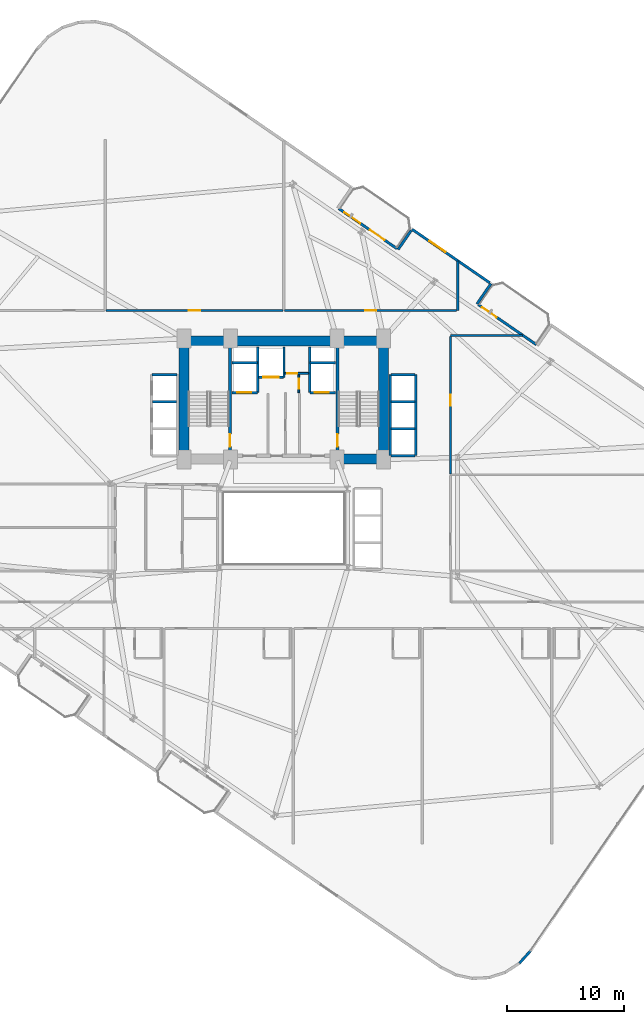
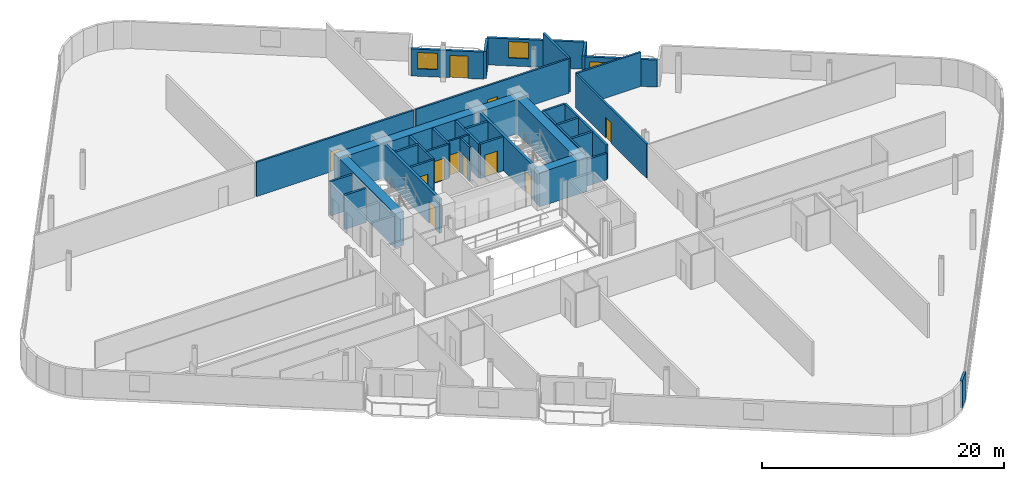
# One storey, part 19 of 24: 35 walls, 12 doors, 2 windows, 14 openings.
"""IFC4 building model written with IfcOpenShell, lengths in metres."""

from ifc_helpers import new_model, si_unit, direction, frame, frame_2d, origin, place, context, subcontext, project, spatial, rectangle, extrude, material, layer, layer_set, type_object, element, fill, save


model = new_model("IFC4")

# Units and contexts
model_context = context("Model", 3, precision=1e-05, world=origin(), true_north=direction((0.0, 1.0)))
body_context = subcontext(model_context, "Body", "Model", "MODEL_VIEW")
ifc_project = project(units=[si_unit("LENGTHUNIT", "METRE"), si_unit("AREAUNIT", "SQUARE_METRE"), si_unit("VOLUMEUNIT", "CUBIC_METRE"), si_unit("PLANEANGLEUNIT", "RADIAN"), si_unit("MASSUNIT", "GRAM", prefix="KILO")], contexts=[model_context])

# Site, building, storey
site_placement = place(None, origin())
site = spatial("IfcSite", under=ifc_project, at=site_placement, CompositionType="ELEMENT")
building_placement = place(site_placement, origin())
building = spatial("IfcBuilding", under=site, at=building_placement, Name="Varnelok Gate Tower", CompositionType="ELEMENT")
storey_placement = place(building_placement, frame((0.0, 0.0, 41.800048828125)))
storey = spatial("IfcBuildingStorey", under=building, at=storey_placement, Name="L09", CompositionType="ELEMENT", Elevation=41.800048828125)

# Wall, openings, door, window
ifc_material_1 = material(Name="Concrete C45/55", Category="concrete")
ifc_layer_1 = layer(ifc_material_1, 0.219970703125)
ifc_layer_set_1 = layer_set([ifc_layer_1], Name="Concrete C45/55")
wall_type_1 = type_object("IfcWallType", Name="EW-BALC-220", PredefinedType="SOLIDWALL", material=ifc_layer_set_1)
wall_1_placement = place(storey_placement, frame((43.898193359375, 50.1015625, 0.0), z_axis=(0.0, 0.0, 1.0), x_axis=(0.823534636215, -0.567265989598, 0.0)))
wall_1 = element("IfcWall", 1, at=wall_1_placement, inside=storey, type_object=wall_type_1, Name="L09 North Terrace Envelope Wall 3", PredefinedType="SOLIDWALL", context=body_context, shape_type="SweptSolid", body=[
    extrude(rectangle(XDim=6.0, YDim=0.219970703125, at=frame_2d((3.0, 0.0))), origin(), (0.0, 0.0, 1.0), 2.72998046875),
])
opening_1_placement = place(wall_1_placement, frame((3.2119140625, 0.0, 0.0)))
opening_1 = element("IfcOpeningElement", 2, at=opening_1_placement, cuts=wall_1, Name="Opening BD-1", PredefinedType="OPENING", context=body_context, shape_type="SweptSolid", body=[
    extrude(rectangle(XDim=1.5, YDim=2.25, at=frame_2d((0.75, 1.125))), frame((0.0, 0.119873046875, 0.0), z_axis=(0.0, -1.0, 0.0), x_axis=(1.0, 0.0, 0.0)), (0.0, 0.0, 1.0), 0.239990234375),
])
opening_2_placement = place(wall_1_placement, frame((0.550048828125, 0.0, 0.75)))
opening_2 = element("IfcOpeningElement", 3, at=opening_2_placement, cuts=wall_1, Name="Opening WN3", PredefinedType="OPENING", context=body_context, shape_type="SweptSolid", body=[
    extrude(rectangle(XDim=1.64990234375, YDim=1.64990234375, at=frame_2d((0.824951171875, 0.824951171875))), frame((0.0, 0.119873046875, 0.0), z_axis=(0.0, -1.0, 0.0), x_axis=(1.0, 0.0, 0.0)), (0.0, 0.0, 1.0), 0.239990234375),
])
ifc_material_2 = material(Name="Anodized Aluminum Alloy 6063-T6", Category="aluminium")
door_type_1 = type_object("IfcDoorType", Name="DR-EXT-BALC1500", OperationType="NOTDEFINED", PredefinedType="DOOR", material=ifc_material_2)
door_1_placement = place(opening_1_placement, origin())
door_1 = element("IfcDoor", 4, at=door_1_placement, inside=storey, type_object=door_type_1, Name="L09 North Balcony Glazed Door 3", OperationType="SINGLE_SWING_RIGHT", OverallHeight=2.25, OverallWidth=1.5, PredefinedType="DOOR", context=body_context, shape_type="SweptSolid", body=[
    extrude(rectangle(XDim=1.5, YDim=2.25, at=frame_2d((0.75, 1.125))), frame((0.0, 0.02490234375, 0.0), z_axis=(0.0, -1.0, 0.0), x_axis=(1.0, 0.0, 0.0)), (0.0, 0.0, 1.0), 0.050048828125),
])
fill(opening_1, door_1)
ifc_material_3 = material(Name="Low-E Laminated Double Glazing IGU", Category="glass")
window_type = type_object("IfcWindowType", Name="WN-HTL-1650", PartitioningType="SINGLE_PANEL", PredefinedType="WINDOW", material=ifc_material_3)
window_1_placement = place(opening_2_placement, origin())
window_1 = element("IfcWindow", 5, at=window_1_placement, inside=storey, type_object=window_type, Name="L09 North Vision Window 3.1", OverallHeight=1.64990234375, OverallWidth=1.64990234375, PartitioningType="SINGLE_PANEL", PredefinedType="WINDOW", context=body_context, shape_type="SweptSolid", body=[
    extrude(rectangle(XDim=1.64990234375, YDim=1.64990234375, at=frame_2d((0.824951171875, 0.824951171875))), frame((0.0, 0.030029296875, 0.0), z_axis=(0.0, -1.0, 0.0), x_axis=(1.0, 0.0, 0.0)), (0.0, 0.0, 1.0), 0.06005859375),
])
fill(opening_2, window_1)

# Wall, opening, door
wall_2_placement = place(storey_placement, frame((55.757080078125, 41.932861328125, 0.0), z_axis=(0.0, 0.0, 1.0), x_axis=(0.823534636215, -0.567265989598, 0.0)))
wall_2 = element("IfcWall", 6, at=wall_2_placement, inside=storey, type_object=wall_type_1, Name="L09 North Terrace Envelope Wall 4", PredefinedType="SOLIDWALL", context=body_context, shape_type="SweptSolid", body=[
    extrude(rectangle(XDim=6.0, YDim=0.219970703125, at=frame_2d((3.0, 0.0))), origin(), (0.0, 0.0, 1.0), 2.72998046875),
])
opening_3_placement = place(wall_2_placement, frame((0.39990234375, 0.0, 0.0)))
opening_3 = element("IfcOpeningElement", 7, at=opening_3_placement, cuts=wall_2, Name="Opening BD-1", PredefinedType="OPENING", context=body_context, shape_type="SweptSolid", body=[
    extrude(rectangle(XDim=1.5, YDim=2.25, at=frame_2d((0.75, 1.125))), frame((0.0, 0.119873046875, 0.0), z_axis=(0.0, -1.0, 0.0), x_axis=(1.0, 0.0, 0.0)), (0.0, 0.0, 1.0), 0.239990234375),
])
door_2_placement = place(opening_3_placement, origin())
door_2 = element("IfcDoor", 8, at=door_2_placement, inside=storey, type_object=door_type_1, Name="L09 North Balcony Glazed Door 4", OperationType="SINGLE_SWING_LEFT", OverallHeight=2.25, OverallWidth=1.5, PredefinedType="DOOR", context=body_context, shape_type="SweptSolid", body=[
    extrude(rectangle(XDim=1.5, YDim=2.25, at=frame_2d((0.75, 1.125))), frame((0.0, 0.02490234375, 0.0), z_axis=(0.0, -1.0, 0.0), x_axis=(1.0, 0.0, 0.0)), (0.0, 0.0, 1.0), 0.050048828125),
])
fill(opening_3, door_2)

# Walls
wall_3_placement = place(storey_placement, frame((59.26611328125, -14.13525390625, 0.0), z_axis=(0.0, 0.0, 1.0), x_axis=(0.669866433955, 0.742481623113, 0.0)))
element("IfcWall", 9, at=wall_3_placement, inside=storey, type_object=wall_type_1, Name="L09 Perimeter Facade Closure Wall 19", PredefinedType="SOLIDWALL", context=body_context, shape_type="SweptSolid", body=[
    extrude(rectangle(XDim=1.4052734375, YDim=0.219970703125, at=frame_2d((0.70263671875, 0.0))), origin(), (0.0, 0.0, 1.0), 2.72998046875),
])
wall_4_placement = place(storey_placement, frame((55.652587890625, 41.99267578125, 0.0), z_axis=(0.0, 0.0, 1.0), x_axis=(0.567273696173, 0.823529327729, 0.0)))
element("IfcWall", 10, at=wall_4_placement, inside=storey, type_object=wall_type_1, Name="L09 Perimeter Facade Closure Wall 28", PredefinedType="SOLIDWALL", context=body_context, shape_type="SweptSolid", body=[
    extrude(rectangle(XDim=2.099853515625, YDim=0.219970703125, at=frame_2d((1.0498046875, 0.0))), origin(), (0.0, 0.0, 1.0), 2.72998046875),
])

# Wall, opening, window
wall_5_placement = place(storey_placement, frame((56.740966796875, 43.79296875, 0.0), z_axis=(0.0, 0.0, 1.0), x_axis=(-0.823530942962, 0.56727135128, 0.0)))
wall_5 = element("IfcWall", 11, at=wall_5_placement, inside=storey, type_object=wall_type_1, Name="L09 Perimeter Facade Closure Wall 29", PredefinedType="SOLIDWALL", context=body_context, shape_type="SweptSolid", body=[
    extrude(rectangle(XDim=8.03515625, YDim=0.219970703125, at=frame_2d((4.017578125, 0.0))), origin(), (0.0, 0.0, 1.0), 2.72998046875),
])
opening_4_placement = place(wall_5_placement, frame((4.59716796875, 0.0, 0.800048828125)))
opening_4 = element("IfcOpeningElement", 12, at=opening_4_placement, cuts=wall_5, Name="Opening WN3", PredefinedType="OPENING", context=body_context, shape_type="SweptSolid", body=[
    extrude(rectangle(XDim=1.64990234375, YDim=1.64990234375, at=frame_2d((0.824951171875, 0.824951171875))), frame((0.0, 0.119873046875, 0.0), z_axis=(0.0, -1.0, 0.0), x_axis=(1.0, 0.0, 0.0)), (0.0, 0.0, 1.0), 0.239990234375),
])
window_2_placement = place(opening_4_placement, origin())
window_2 = element("IfcWindow", 13, at=window_2_placement, inside=storey, type_object=window_type, Name="L09 Perimeter Vision Window 29", OverallHeight=1.64990234375, OverallWidth=1.64990234375, PartitioningType="SINGLE_PANEL", PredefinedType="WINDOW", context=body_context, shape_type="SweptSolid", body=[
    extrude(rectangle(XDim=1.64990234375, YDim=1.64990234375, at=frame_2d((0.824951171875, 0.824951171875))), frame((0.0, 0.030029296875, 0.0), z_axis=(0.0, -1.0, 0.0), x_axis=(1.0, 0.0, 0.0)), (0.0, 0.0, 1.0), 0.06005859375),
])
fill(opening_4, window_2)

# Wall
wall_6_placement = place(storey_placement, frame((50.052978515625, 48.248046875, 0.0), z_axis=(0.0, 0.0, 1.0), x_axis=(-0.567273565974, -0.823529417415, 0.0)))
element("IfcWall", 14, at=wall_6_placement, inside=storey, type_object=wall_type_1, Name="L09 Perimeter Facade Closure Wall 30", PredefinedType="SOLIDWALL", context=body_context, shape_type="SweptSolid", body=[
    extrude(rectangle(XDim=1.97509765625, YDim=0.219970703125, at=frame_2d((0.987548828125, 0.0))), origin(), (0.0, 0.0, 1.0), 2.72998046875),
])

# Wall, opening, door
ifc_material_4 = material(Name="Gypsum Plasterboard Acoustic Partition", Category="gypsum")
ifc_layer_2 = layer(ifc_material_4, 0.179931640625)
ifc_layer_set_2 = layer_set([ifc_layer_2], Name="Gypsum Plasterboard Acoustic Partition")
wall_type_2 = type_object("IfcWallType", Name="PW-CORR-180", PredefinedType="PARTITIONING", material=ifc_layer_set_2)
wall_7_placement = place(storey_placement, frame((24.080078125, 41.429931640625, 0.0), z_axis=(0.0, 0.0, 1.0), x_axis=(1.0, 0.0, 0.0)))
wall_7 = element("IfcWall", 15, at=wall_7_placement, inside=storey, type_object=wall_type_2, Name="Interior Partition", PredefinedType="PARTITIONING", context=body_context, shape_type="SweptSolid", body=[
    extrude(rectangle(XDim=15.0400390625, YDim=0.179931640625, at=frame_2d((7.52001953125, 0.0))), origin(), (0.0, 0.0, 1.0), 3.449951171875),
])
opening_5_placement = place(wall_7_placement, frame((7.044921875, 0.0, 0.0)))
opening_5 = element("IfcOpeningElement", 16, at=opening_5_placement, cuts=wall_7, Name="Opening D-I2", PredefinedType="OPENING", context=body_context, shape_type="SweptSolid", body=[
    extrude(rectangle(XDim=0.949951171875, YDim=2.050048828125, at=frame_2d((0.47509765625, 1.02490234375))), frame((0.0, 0.099853515625, 0.0), z_axis=(0.0, -1.0, 0.0), x_axis=(1.0, 0.0, 0.0)), (0.0, 0.0, 1.0), 0.199951171875),
])
ifc_material_5 = material(Name="Engineered Hardwood Timber", Category="wood")
door_type_2 = type_object("IfcDoorType", Name="DR-INT-950", OperationType="NOTDEFINED", PredefinedType="DOOR", material=ifc_material_5)
door_3_placement = place(opening_5_placement, origin())
door_3 = element("IfcDoor", 17, at=door_3_placement, inside=storey, type_object=door_type_2, Name="L09 Executive Business Office 2 Door", OperationType="SINGLE_SWING_LEFT", OverallHeight=2.050048828125, OverallWidth=0.949951171875, PredefinedType="DOOR", context=body_context, shape_type="SweptSolid", body=[
    extrude(rectangle(XDim=0.949951171875, YDim=2.050048828125, at=frame_2d((0.47509765625, 1.02490234375))), frame((0.0, 0.02490234375, 0.0), z_axis=(0.0, -1.0, 0.0), x_axis=(1.0, 0.0, 0.0)), (0.0, 0.0, 1.0), 0.050048828125),
])
fill(opening_5, door_3)

wall_8_placement = place(storey_placement, frame((39.280029296875, 41.429931640625, 0.0), z_axis=(0.0, 0.0, 1.0), x_axis=(1.0, 0.0, 0.0)))
wall_8 = element("IfcWall", 18, at=wall_8_placement, inside=storey, type_object=wall_type_2, Name="Interior Partition", PredefinedType="PARTITIONING", context=body_context, shape_type="SweptSolid", body=[
    extrude(rectangle(XDim=14.639892578125, YDim=0.179931640625, at=frame_2d((7.31982421875, 0.0))), origin(), (0.0, 0.0, 1.0), 3.449951171875),
])
opening_6_placement = place(wall_8_placement, frame((6.844970703125, 0.0, 0.0)))
opening_6 = element("IfcOpeningElement", 19, at=opening_6_placement, cuts=wall_8, Name="Opening D-I2", PredefinedType="OPENING", context=body_context, shape_type="SweptSolid", body=[
    extrude(rectangle(XDim=0.949951171875, YDim=2.050048828125, at=frame_2d((0.47509765625, 1.02490234375))), frame((0.0, 0.099853515625, 0.0), z_axis=(0.0, -1.0, 0.0), x_axis=(1.0, 0.0, 0.0)), (0.0, 0.0, 1.0), 0.199951171875),
])
door_4_placement = place(opening_6_placement, origin())
door_4 = element("IfcDoor", 20, at=door_4_placement, inside=storey, type_object=door_type_2, Name="L09 Hotel Business Center Door", OperationType="SINGLE_SWING_LEFT", OverallHeight=2.050048828125, OverallWidth=0.949951171875, PredefinedType="DOOR", context=body_context, shape_type="SweptSolid", body=[
    extrude(rectangle(XDim=0.949951171875, YDim=2.050048828125, at=frame_2d((0.47509765625, 1.02490234375))), frame((0.0, 0.02490234375, 0.0), z_axis=(0.0, -1.0, 0.0), x_axis=(1.0, 0.0, 0.0)), (0.0, 0.0, 1.0), 0.050048828125),
])
fill(opening_6, door_4)

wall_9_placement = place(storey_placement, frame((53.389892578125, 27.530029296875, 0.0), z_axis=(0.0, 0.0, 1.0), x_axis=(0.0, 1.0, 0.0)))
wall_9 = element("IfcWall", 21, at=wall_9_placement, inside=storey, type_object=wall_type_2, Name="Interior Partition", PredefinedType="PARTITIONING", context=body_context, shape_type="SweptSolid", body=[
    extrude(rectangle(XDim=11.669921875, YDim=0.179931640625, at=frame_2d((5.8349609375, 0.0))), origin(), (0.0, 0.0, 1.0), 3.449951171875),
])
opening_7_placement = place(wall_9_placement, frame((5.800048828125, 0.0, 0.0)))
opening_7 = element("IfcOpeningElement", 22, at=opening_7_placement, cuts=wall_9, Name="Opening D-I3", PredefinedType="OPENING", context=body_context, shape_type="SweptSolid", body=[
    extrude(rectangle(XDim=0.919921875, YDim=2.050048828125, at=frame_2d((0.4599609375, 1.02490234375))), frame((0.0, 0.099853515625, 0.0), z_axis=(0.0, -1.0, 0.0), x_axis=(1.0, 0.0, 0.0)), (0.0, 0.0, 1.0), 0.199951171875),
])
door_type_3 = type_object("IfcDoorType", Name="DR-INT-920", OperationType="NOTDEFINED", PredefinedType="DOOR", material=ifc_material_5)
door_5_placement = place(opening_7_placement, origin())
door_5 = element("IfcDoor", 23, at=door_5_placement, inside=storey, type_object=door_type_3, Name="L09 East Suite 2 Door", OperationType="SINGLE_SWING_RIGHT", OverallHeight=2.050048828125, OverallWidth=0.919921875, PredefinedType="DOOR", context=body_context, shape_type="SweptSolid", body=[
    extrude(rectangle(XDim=0.919921875, YDim=2.050048828125, at=frame_2d((0.4599609375, 1.02490234375))), frame((0.0, 0.02490234375, 0.0), z_axis=(0.0, -1.0, 0.0), x_axis=(1.0, 0.0, 0.0)), (0.0, 0.0, 1.0), 0.050048828125),
])
fill(opening_7, door_5)

# Wall
wall_10_placement = place(storey_placement, frame((53.389892578125, 39.300048828125, 0.0), z_axis=(0.0, 0.0, 1.0), x_axis=(1.0, 0.0, 0.0)))
element("IfcWall", 24, at=wall_10_placement, inside=storey, type_object=wall_type_2, Name="Interior Partition", PredefinedType="PARTITIONING", context=body_context, shape_type="SweptSolid", body=[
    extrude(rectangle(XDim=6.136474609375, YDim=0.179931640625, at=frame_2d((3.068359375, 0.0))), origin(), (0.0, 0.0, 1.0), 3.449951171875),
])

# Wall, opening, door
ifc_layer_3 = layer(ifc_material_4, 0.14990234375)
ifc_layer_set_3 = layer_set([ifc_layer_3], Name="Gypsum Plasterboard Acoustic Partition")
wall_type_3 = type_object("IfcWallType", Name="PW-PART-150", PredefinedType="PARTITIONING", material=ifc_layer_set_3)
wall_11_placement = place(storey_placement, frame((39.300048828125, 36.080078125, 0.0), z_axis=(0.0, 0.0, 1.0), x_axis=(1.0, 0.0, 0.0)))
wall_11 = element("IfcWall", 25, at=wall_11_placement, inside=storey, type_object=wall_type_3, Name="L09 Electrical Closet South Wall", PredefinedType="PARTITIONING", context=body_context, shape_type="SweptSolid", body=[
    extrude(rectangle(XDim=2.02001953125, YDim=0.14990234375, at=frame_2d((1.010009765625, 0.0))), origin(), (0.0, 0.0, 1.0), 3.449951171875),
])
opening_8_placement = place(wall_11_placement, frame((0.179931640625, 0.0, 0.0)))
opening_8 = element("IfcOpeningElement", 26, at=opening_8_placement, cuts=wall_11, Name="Opening D-RS", PredefinedType="OPENING", context=body_context, shape_type="SweptSolid", body=[
    extrude(rectangle(XDim=0.85009765625, YDim=2.050048828125, at=frame_2d((0.425048828125, 1.02490234375))), frame((0.0, 0.0849609375, 0.0), z_axis=(0.0, -1.0, 0.0), x_axis=(1.0, 0.0, 0.0)), (0.0, 0.0, 1.0), 0.169921875),
])
ifc_material_6 = material(Name="Galvanized Steel Grade S350GD", Category="steel")
door_type_4 = type_object("IfcDoorType", Name="DR-RISER-850", OperationType="NOTDEFINED", PredefinedType="DOOR", material=ifc_material_6)
door_6_placement = place(opening_8_placement, origin())
door_6 = element("IfcDoor", 27, at=door_6_placement, inside=storey, type_object=door_type_4, Name="L09 Electrical Closet Door", OperationType="SINGLE_SWING_RIGHT", OverallHeight=2.050048828125, OverallWidth=0.85009765625, PredefinedType="DOOR", context=body_context, shape_type="SweptSolid", body=[
    extrude(rectangle(XDim=0.85009765625, YDim=2.050048828125, at=frame_2d((0.425048828125, 1.02490234375))), frame((0.0, 0.02490234375, 0.0), z_axis=(0.0, -1.0, 0.0), x_axis=(1.0, 0.0, 0.0)), (0.0, 0.0, 1.0), 0.050048828125),
])
fill(opening_8, door_6)

wall_12_placement = place(storey_placement, frame((40.47998046875, 34.43994140625, 0.0), z_axis=(0.0, 0.0, 1.0), x_axis=(0.0, 1.0, 0.0)))
wall_12 = element("IfcWall", 28, at=wall_12_placement, inside=storey, type_object=wall_type_3, Name="L09 Telecoms Closet West Wall", PredefinedType="PARTITIONING", context=body_context, shape_type="SweptSolid", body=[
    extrude(rectangle(XDim=1.52001953125, YDim=0.14990234375, at=frame_2d((0.760009765625, 0.0))), origin(), (0.0, 0.0, 1.0), 3.449951171875),
])
opening_9_placement = place(wall_12_placement, frame((0.320068359375, 0.0, 0.0)))
opening_9 = element("IfcOpeningElement", 29, at=opening_9_placement, cuts=wall_12, Name="Opening D-RS", PredefinedType="OPENING", context=body_context, shape_type="SweptSolid", body=[
    extrude(rectangle(XDim=0.85009765625, YDim=2.050048828125, at=frame_2d((0.425048828125, 1.02490234375))), frame((0.0, 0.0849609375, 0.0), z_axis=(0.0, -1.0, 0.0), x_axis=(1.0, 0.0, 0.0)), (0.0, 0.0, 1.0), 0.169921875),
])
door_7_placement = place(opening_9_placement, origin())
door_7 = element("IfcDoor", 30, at=door_7_placement, inside=storey, type_object=door_type_4, Name="L09 Telecoms Closet Door", OperationType="SINGLE_SWING_LEFT", OverallHeight=2.050048828125, OverallWidth=0.85009765625, PredefinedType="DOOR", context=body_context, shape_type="SweptSolid", body=[
    extrude(rectangle(XDim=0.85009765625, YDim=2.050048828125, at=frame_2d((0.425048828125, 1.02490234375))), frame((0.0, 0.02490234375, 0.0), z_axis=(0.0, -1.0, 0.0), x_axis=(1.0, 0.0, 0.0)), (0.0, 0.0, 1.0), 0.050048828125),
])
fill(opening_9, door_7)

# Wall
ifc_layer_4 = layer(ifc_material_4, 0.205078125)
ifc_layer_set_4 = layer_set([ifc_layer_4], Name="Gypsum Plasterboard Acoustic Partition")
wall_type_4 = type_object("IfcWallType", Name="PW-PARTY-200", PredefinedType="PARTITIONING", material=ifc_layer_set_4)
wall_13_placement = place(storey_placement, frame((54.0, 41.429931640625, 0.0), z_axis=(0.0, 0.0, 1.0), x_axis=(0.0, 1.0, 0.0)))
element("IfcWall", 31, at=wall_13_placement, inside=storey, type_object=wall_type_4, Name="L09 North Party Wall 3", PredefinedType="PARTITIONING", context=body_context, shape_type="SweptSolid", body=[
    extrude(rectangle(XDim=4.226806640625, YDim=0.205078125, at=frame_2d((2.11328125, 0.0))), origin(), (0.0, 0.0, 1.0), 3.449951171875),
])

# Wall, opening, door
ifc_material_7 = material(Name="Concrete C35/45", Category="concrete")
ifc_layer_5 = layer(ifc_material_7, 0.199951171875)
ifc_layer_set_5 = layer_set([ifc_layer_5], Name="Concrete C35/45")
wall_type_5 = type_object("IfcWallType", Name="PW-SHAFT-200", PredefinedType="PARTITIONING", material=ifc_layer_set_5)
wall_14_placement = place(storey_placement, frame((34.800048828125, 34.43994140625, 0.0), z_axis=(0.0, 0.0, 1.0), x_axis=(1.0, 0.0, 0.0)))
wall_14 = element("IfcWall", 32, at=wall_14_placement, inside=storey, type_object=wall_type_5, Name="L09 FF1 Shaft Front Wall", PredefinedType="PARTITIONING", context=body_context, shape_type="SweptSolid", body=[
    extrude(rectangle(XDim=2.179931640625, YDim=0.199951171875, at=frame_2d((1.08984375, 0.0))), origin(), (0.0, 0.0, 1.0), 3.449951171875),
])
opening_10_placement = place(wall_14_placement, frame((0.419921875, 0.0, 0.0)))
opening_10 = element("IfcOpeningElement", 33, at=opening_10_placement, cuts=wall_14, Name="Opening LD-FF1", PredefinedType="OPENING", context=body_context, shape_type="SweptSolid", body=[
    extrude(rectangle(XDim=1.199951171875, YDim=2.199951171875, at=frame_2d((0.60009765625, 1.10009765625))), frame((0.0, 0.10986328125, 0.0), z_axis=(0.0, -1.0, 0.0), x_axis=(1.0, 0.0, 0.0)), (0.0, 0.0, 1.0), 0.219970703125),
])
door_type_5 = type_object("IfcDoorType", Name="DR-LIFT-FF1200", OperationType="SLIDING_TO_LEFT", PredefinedType="DOOR", material=ifc_material_6)
door_8_placement = place(opening_10_placement, origin())
door_8 = element("IfcDoor", 34, at=door_8_placement, inside=storey, type_object=door_type_5, Name="L09 Firefighting Lift Landing Door LD-FF1", OperationType="SLIDING_TO_LEFT", OverallHeight=2.199951171875, OverallWidth=1.199951171875, PredefinedType="DOOR", context=body_context, shape_type="SweptSolid", body=[
    extrude(rectangle(XDim=1.199951171875, YDim=2.199951171875, at=frame_2d((0.60009765625, 1.10009765625))), frame((0.0, 0.02490234375, 0.0), z_axis=(0.0, -1.0, 0.0), x_axis=(1.0, 0.0, 0.0)), (0.0, 0.0, 1.0), 0.050048828125),
])
fill(opening_10, door_8)

# Walls
wall_15_placement = place(storey_placement, frame((34.800048828125, 36.97998046875, 0.0), z_axis=(0.0, 0.0, 1.0), x_axis=(1.0, 0.0, 0.0)))
element("IfcWall", 35, at=wall_15_placement, inside=storey, type_object=wall_type_5, Name="L09 FF1 Shaft North Wall", PredefinedType="PARTITIONING", context=body_context, shape_type="SweptSolid", body=[
    extrude(rectangle(XDim=2.179931640625, YDim=0.199951171875, at=frame_2d((1.08984375, 0.0))), origin(), (0.0, 0.0, 1.0), 3.449951171875),
])
wall_16_placement = place(storey_placement, frame((37.0, 34.43994140625, 0.0), z_axis=(0.0, 0.0, 1.0), x_axis=(0.0, 1.0, 0.0)))
element("IfcWall", 36, at=wall_16_placement, inside=storey, type_object=wall_type_5, Name="L09 FF1 Shaft Side Wall", PredefinedType="PARTITIONING", context=body_context, shape_type="SweptSolid", body=[
    extrude(rectangle(XDim=3.900146484375, YDim=0.199951171875, at=frame_2d((1.9501953125, 0.0))), origin(), (0.0, 0.0, 1.0), 3.449951171875),
])

# Wall, opening, door
wall_17_placement = place(storey_placement, frame((41.419921875, 34.43994140625, 0.0), z_axis=(0.0, 0.0, 1.0), x_axis=(1.0, 0.0, 0.0)))
wall_17 = element("IfcWall", 37, at=wall_17_placement, inside=storey, type_object=wall_type_5, Name="L09 FF2 Shaft Front Wall", PredefinedType="PARTITIONING", context=body_context, shape_type="SweptSolid", body=[
    extrude(rectangle(XDim=2.18017578125, YDim=0.199951171875, at=frame_2d((1.090087890625, 0.0))), origin(), (0.0, 0.0, 1.0), 3.449951171875),
])
opening_11_placement = place(wall_17_placement, frame((0.419921875, 0.0, 0.0)))
opening_11 = element("IfcOpeningElement", 38, at=opening_11_placement, cuts=wall_17, Name="Opening LD-FF2", PredefinedType="OPENING", context=body_context, shape_type="SweptSolid", body=[
    extrude(rectangle(XDim=1.199951171875, YDim=2.199951171875, at=frame_2d((0.60009765625, 1.10009765625))), frame((0.0, 0.10986328125, 0.0), z_axis=(0.0, -1.0, 0.0), x_axis=(1.0, 0.0, 0.0)), (0.0, 0.0, 1.0), 0.219970703125),
])
door_9_placement = place(opening_11_placement, origin())
door_9 = element("IfcDoor", 39, at=door_9_placement, inside=storey, type_object=door_type_5, Name="L09 Firefighting Lift Landing Door LD-FF2", OperationType="SLIDING_TO_LEFT", OverallHeight=2.199951171875, OverallWidth=1.199951171875, PredefinedType="DOOR", context=body_context, shape_type="SweptSolid", body=[
    extrude(rectangle(XDim=1.199951171875, YDim=2.199951171875, at=frame_2d((0.60009765625, 1.10009765625))), frame((0.0, 0.02490234375, 0.0), z_axis=(0.0, -1.0, 0.0), x_axis=(1.0, 0.0, 0.0)), (0.0, 0.0, 1.0), 0.050048828125),
])
fill(opening_11, door_9)

# Walls
wall_18_placement = place(storey_placement, frame((41.419921875, 36.97998046875, 0.0), z_axis=(0.0, 0.0, 1.0), x_axis=(1.0, 0.0, 0.0)))
element("IfcWall", 40, at=wall_18_placement, inside=storey, type_object=wall_type_5, Name="L09 FF2 Shaft North Wall", PredefinedType="PARTITIONING", context=body_context, shape_type="SweptSolid", body=[
    extrude(rectangle(XDim=2.18017578125, YDim=0.199951171875, at=frame_2d((1.090087890625, 0.0))), origin(), (0.0, 0.0, 1.0), 3.449951171875),
])
wall_19_placement = place(storey_placement, frame((41.39990234375, 34.43994140625, 0.0), z_axis=(0.0, 0.0, 1.0), x_axis=(0.0, 1.0, 0.0)))
element("IfcWall", 41, at=wall_19_placement, inside=storey, type_object=wall_type_5, Name="L09 FF2 Shaft Side Wall", PredefinedType="PARTITIONING", context=body_context, shape_type="SweptSolid", body=[
    extrude(rectangle(XDim=3.900146484375, YDim=0.199951171875, at=frame_2d((1.9501953125, 0.0))), origin(), (0.0, 0.0, 1.0), 3.449951171875),
])

# Wall, opening, door
wall_20_placement = place(storey_placement, frame((37.06005859375, 35.75, 0.0), z_axis=(0.0, 0.0, 1.0), x_axis=(1.0, 0.0, 0.0)))
wall_20 = element("IfcWall", 42, at=wall_20_placement, inside=storey, type_object=wall_type_5, Name="L09 SV1 Shaft Front Wall", PredefinedType="PARTITIONING", context=body_context, shape_type="SweptSolid", body=[
    extrude(rectangle(XDim=2.119873046875, YDim=0.199951171875, at=frame_2d((1.06005859375, 0.0))), origin(), (0.0, 0.0, 1.0), 3.449951171875),
])
opening_12_placement = place(wall_20_placement, frame((0.39990234375, 0.0, 0.0)))
opening_12 = element("IfcOpeningElement", 43, at=opening_12_placement, cuts=wall_20, Name="Opening LD-SV1", PredefinedType="OPENING", context=body_context, shape_type="SweptSolid", body=[
    extrude(rectangle(XDim=1.300048828125, YDim=2.199951171875, at=frame_2d((0.64990234375, 1.10009765625))), frame((0.0, 0.10986328125, 0.0), z_axis=(0.0, -1.0, 0.0), x_axis=(1.0, 0.0, 0.0)), (0.0, 0.0, 1.0), 0.219970703125),
])
door_type_6 = type_object("IfcDoorType", Name="DR-LIFT-SV1300", OperationType="SLIDING_TO_LEFT", PredefinedType="DOOR", material=ifc_material_6)
door_10_placement = place(opening_12_placement, origin())
door_10 = element("IfcDoor", 44, at=door_10_placement, inside=storey, type_object=door_type_6, Name="L09 Service Lift Landing Door LD-SV1", OperationType="SLIDING_TO_LEFT", OverallHeight=2.199951171875, OverallWidth=1.300048828125, PredefinedType="DOOR", context=body_context, shape_type="SweptSolid", body=[
    extrude(rectangle(XDim=1.300048828125, YDim=2.199951171875, at=frame_2d((0.64990234375, 1.10009765625))), frame((0.0, 0.02490234375, 0.0), z_axis=(0.0, -1.0, 0.0), x_axis=(1.0, 0.0, 0.0)), (0.0, 0.0, 1.0), 0.050048828125),
])
fill(opening_12, door_10)

# Walls
wall_21_placement = place(storey_placement, frame((39.219970703125, 35.75, 0.0), z_axis=(0.0, 0.0, 1.0), x_axis=(0.0, 1.0, 0.0)))
element("IfcWall", 45, at=wall_21_placement, inside=storey, type_object=wall_type_5, Name="L09 SV1 Shaft East Wall", PredefinedType="PARTITIONING", context=body_context, shape_type="SweptSolid", body=[
    extrude(rectangle(XDim=2.590087890625, YDim=0.199951171875, at=frame_2d((1.294921875, 0.0))), origin(), (0.0, 0.0, 1.0), 3.449951171875),
])
wall_22_placement = place(storey_placement, frame((28.02001953125, 33.675048828125, 0.0), z_axis=(0.0, 0.0, 1.0), x_axis=(1.0, 0.0, 0.0)))
element("IfcWall", 46, at=wall_22_placement, inside=storey, type_object=wall_type_5, Name="L09 PL2 Divider", PredefinedType="PARTITIONING", context=body_context, shape_type="SweptSolid", body=[
    extrude(rectangle(XDim=2.06005859375, YDim=0.199951171875, at=frame_2d((1.030029296875, 0.0))), origin(), (0.0, 0.0, 1.0), 3.449951171875),
])
wall_23_placement = place(storey_placement, frame((28.0, 35.969970703125, 0.0), z_axis=(0.0, 0.0, 1.0), x_axis=(1.0, 0.0, 0.0)))
element("IfcWall", 47, at=wall_23_placement, inside=storey, type_object=wall_type_5, Name="L09 PL Bank North Wall", PredefinedType="PARTITIONING", context=body_context, shape_type="SweptSolid", body=[
    extrude(rectangle(XDim=2.10009765625, YDim=0.199951171875, at=frame_2d((1.050048828125, 0.0))), origin(), (0.0, 0.0, 1.0), 3.449951171875),
])
for number, where, z_axis, x_axis, name in (
    (48, (48.320068359375, 31.375, 0.0), (0.0, 0.0, 1.0), (1.0, 0.0, 0.0), "L09 PM1 Divider"),
    (49, (48.320068359375, 33.675048828125, 0.0), (0.0, 0.0, 1.0), (1.0, 0.0, 0.0), "L09 PM2 Divider"),
):
    element("IfcWall", number, at=place(storey_placement, frame(where, z_axis=z_axis, x_axis=x_axis)), inside=storey, type_object=wall_type_5, Name=name, PredefinedType="PARTITIONING", context=body_context, shape_type="SweptSolid", body=[
        extrude(rectangle(XDim=2.059814453125, YDim=0.199951171875, at=frame_2d((1.02978515625, 0.0))), origin(), (0.0, 0.0, 1.0), 3.449951171875),
    ])
wall_24_placement = place(storey_placement, frame((48.320068359375, 29.080078125, 0.0), z_axis=(0.0, 0.0, 1.0), x_axis=(1.0, 0.0, 0.0)))
element("IfcWall", 50, at=wall_24_placement, inside=storey, type_object=wall_type_5, Name="L09 PM Bank South Wall", PredefinedType="PARTITIONING", context=body_context, shape_type="SweptSolid", body=[
    extrude(rectangle(XDim=2.059814453125, YDim=0.199951171875, at=frame_2d((1.02978515625, 0.0))), origin(), (0.0, 0.0, 1.0), 2.661865234375),
])
wall_25_placement = place(storey_placement, frame((48.320068359375, 35.969970703125, 0.0), z_axis=(0.0, 0.0, 1.0), x_axis=(1.0, 0.0, 0.0)))
element("IfcWall", 51, at=wall_25_placement, inside=storey, type_object=wall_type_5, Name="L09 PM Bank North Wall", PredefinedType="PARTITIONING", context=body_context, shape_type="SweptSolid", body=[
    extrude(rectangle(XDim=2.059814453125, YDim=0.199951171875, at=frame_2d((1.02978515625, 0.0))), origin(), (0.0, 0.0, 1.0), 3.449951171875),
])
for number, where, z_axis, x_axis, name in (
    (52, (48.280029296875, 29.080078125, 0.0), (0.0, 0.0, 1.0), (0.0, 1.0, 0.0), "L09 PM Bank Back Wall"),
    (53, (50.43994140625, 29.080078125, 0.0), (0.0, 0.0, 1.0), (0.0, 1.0, 0.0), "L09 PM Bank Front Wall"),
):
    element("IfcWall", number, at=place(storey_placement, frame(where, z_axis=z_axis, x_axis=x_axis)), inside=storey, type_object=wall_type_5, Name=name, PredefinedType="PARTITIONING", context=body_context, shape_type="SweptSolid", body=[
        extrude(rectangle(XDim=6.889892578125, YDim=0.199951171875, at=frame_2d((3.44482421875, 0.0))), origin(), (0.0, 0.0, 1.0), 3.449951171875),
    ])
ifc_material_8 = material(Name="Concrete C70/85", Category="concrete")
ifc_layer_6 = layer(ifc_material_8, 0.85009765625)
ifc_layer_set_6 = layer_set([ifc_layer_6], Name="Concrete C70/85")
wall_type_6 = type_object("IfcWallType", Name="SW-CORE-850", PredefinedType="SHEAR", material=ifc_layer_set_6)
wall_26_placement = place(storey_placement, frame((30.280029296875, 38.844970703125, 0.0), z_axis=(0.0, 0.0, 1.0), x_axis=(1.0, 0.0, 0.0)))
element("IfcWall", 54, at=wall_26_placement, inside=storey, type_object=wall_type_6, Name="L09 Rear Core North Shear Wall", PredefinedType="SHEAR", context=body_context, shape_type="SweptSolid", body=[
    extrude(rectangle(XDim=17.840087890625, YDim=0.85009765625, at=frame_2d((8.919921875, 0.0))), origin(), (0.0, 0.0, 1.0), 3.449951171875),
])
for number, where, z_axis, x_axis, name in (
    (55, (30.705078125, 29.199951171875, 0.0), (0.0, 0.0, 1.0), (0.0, 1.0, 0.0), "L09 Rear Core West Shear Wall"),
    (56, (47.695068359375, 29.199951171875, 0.0), (0.0, 0.0, 1.0), (0.0, 1.0, 0.0), "L09 Rear Core East Shear Wall"),
):
    element("IfcWall", number, at=place(storey_placement, frame(where, z_axis=z_axis, x_axis=x_axis)), inside=storey, type_object=wall_type_6, Name=name, PredefinedType="SHEAR", context=body_context, shape_type="SweptSolid", body=[
        extrude(rectangle(XDim=9.219970703125, YDim=0.85009765625, at=frame_2d((4.60986328125, 0.0))), origin(), (0.0, 0.0, 1.0), 3.449951171875),
    ])
wall_27_placement = place(storey_placement, frame((43.60009765625, 28.77490234375, 0.0), z_axis=(0.0, 0.0, 1.0), x_axis=(1.0, 0.0, 0.0)))
element("IfcWall", 57, at=wall_27_placement, inside=storey, type_object=wall_type_6, Name="L09 Rear Core South-East Shear Wall", PredefinedType="SHEAR", context=body_context, shape_type="SweptSolid", body=[
    extrude(rectangle(XDim=4.52001953125, YDim=0.85009765625, at=frame_2d((2.260009765625, 0.0))), origin(), (0.0, 0.0, 1.0), 3.449951171875),
])

# Wall, opening, door
ifc_material_9 = material(Name="Concrete C60/75", Category="concrete")
ifc_layer_7 = layer(ifc_material_9, 0.25)
ifc_layer_set_7 = layer_set([ifc_layer_7], Name="Concrete C60/75")
wall_type_7 = type_object("IfcWallType", Name="SW-SHAFT-250", PredefinedType="SHEAR", material=ifc_layer_set_7)
wall_28_placement = place(storey_placement, frame((34.639892578125, 29.199951171875, 0.0), z_axis=(0.0, 0.0, 1.0), x_axis=(0.0, 1.0, 0.0)))
wall_28 = element("IfcWall", 58, at=wall_28_placement, inside=storey, type_object=wall_type_7, Name="L09 Stair ST-1 East Shear Wall", PredefinedType="SHEAR", context=body_context, shape_type="SweptSolid", body=[
    extrude(rectangle(XDim=9.219970703125, YDim=0.25, at=frame_2d((4.60986328125, 0.0))), origin(), (0.0, 0.0, 1.0), 3.449951171875),
])
opening_13_placement = place(wall_28_placement, frame((0.64990234375, 0.0, 0.0)))
opening_13 = element("IfcOpeningElement", 59, at=opening_13_placement, cuts=wall_28, Name="Opening D-ST", PredefinedType="OPENING", context=body_context, shape_type="SweptSolid", body=[
    extrude(rectangle(XDim=1.050048828125, YDim=2.14990234375, at=frame_2d((0.52490234375, 1.074951171875))), frame((0.0, 0.135009765625, 0.0), z_axis=(0.0, -1.0, 0.0), x_axis=(1.0, 0.0, 0.0)), (0.0, 0.0, 1.0), 0.27001953125),
])
door_type_7 = type_object("IfcDoorType", Name="DR-STAIR-1050", OperationType="NOTDEFINED", PredefinedType="DOOR", material=ifc_material_6)
door_11_placement = place(opening_13_placement, origin())
door_11 = element("IfcDoor", 60, at=door_11_placement, inside=storey, type_object=door_type_7, Name="L09 Exit Stair ST-1 Fire Door", OperationType="SINGLE_SWING_LEFT", OverallHeight=2.14990234375, OverallWidth=1.050048828125, PredefinedType="DOOR", context=body_context, shape_type="SweptSolid", body=[
    extrude(rectangle(XDim=1.050048828125, YDim=2.14990234375, at=frame_2d((0.52490234375, 1.074951171875))), frame((0.0, 0.02490234375, 0.0), z_axis=(0.0, -1.0, 0.0), x_axis=(1.0, 0.0, 0.0)), (0.0, 0.0, 1.0), 0.050048828125),
])
fill(opening_13, door_11)

wall_29_placement = place(storey_placement, frame((43.760009765625, 29.199951171875, 0.0), z_axis=(0.0, 0.0, 1.0), x_axis=(0.0, 1.0, 0.0)))
wall_29 = element("IfcWall", 61, at=wall_29_placement, inside=storey, type_object=wall_type_7, Name="L09 Stair ST-2 West Shear Wall", PredefinedType="SHEAR", context=body_context, shape_type="SweptSolid", body=[
    extrude(rectangle(XDim=9.219970703125, YDim=0.25, at=frame_2d((4.60986328125, 0.0))), origin(), (0.0, 0.0, 1.0), 3.449951171875),
])
opening_14_placement = place(wall_29_placement, frame((0.64990234375, 0.0, 0.0)))
opening_14 = element("IfcOpeningElement", 62, at=opening_14_placement, cuts=wall_29, Name="Opening D-ST", PredefinedType="OPENING", context=body_context, shape_type="SweptSolid", body=[
    extrude(rectangle(XDim=1.050048828125, YDim=2.14990234375, at=frame_2d((0.52490234375, 1.074951171875))), frame((0.0, 0.135009765625, 0.0), z_axis=(0.0, -1.0, 0.0), x_axis=(1.0, 0.0, 0.0)), (0.0, 0.0, 1.0), 0.27001953125),
])
door_12_placement = place(opening_14_placement, origin())
door_12 = element("IfcDoor", 63, at=door_12_placement, inside=storey, type_object=door_type_7, Name="L09 Exit Stair ST-2 Fire Door", OperationType="SINGLE_SWING_RIGHT", OverallHeight=2.14990234375, OverallWidth=1.050048828125, PredefinedType="DOOR", context=body_context, shape_type="SweptSolid", body=[
    extrude(rectangle(XDim=1.050048828125, YDim=2.14990234375, at=frame_2d((0.52490234375, 1.074951171875))), frame((0.0, 0.02490234375, 0.0), z_axis=(0.0, -1.0, 0.0), x_axis=(1.0, 0.0, 0.0)), (0.0, 0.0, 1.0), 0.050048828125),
])
fill(opening_14, door_12)

save(model, "model.ifc")
